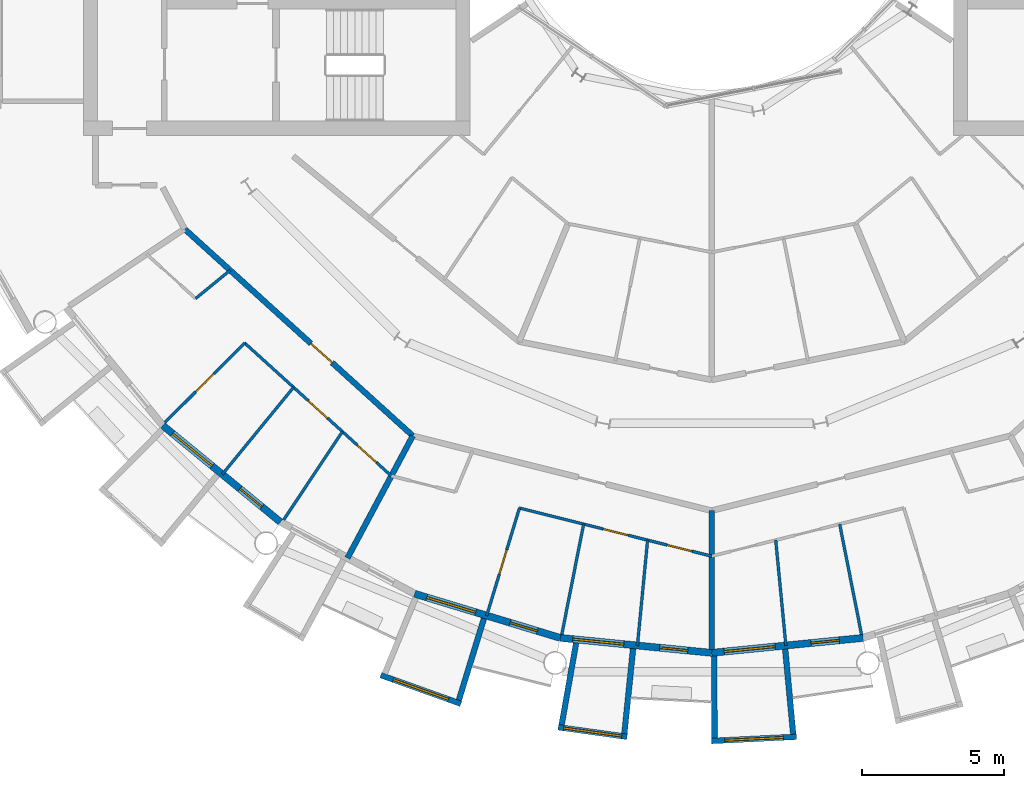
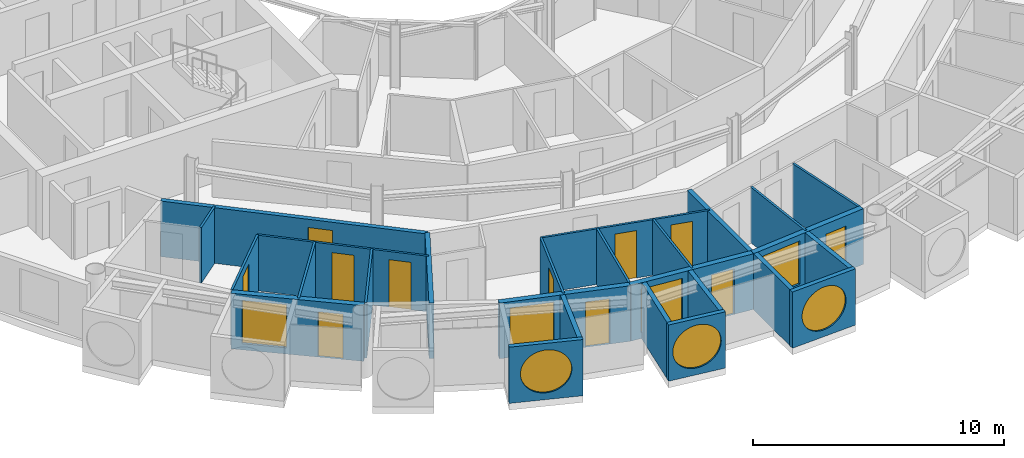
# One storey, part 14 of 26: 26 walls, 11 doors, 7 windows, 18 openings.
"""IFC4 building model written with IfcOpenShell, lengths in metres."""

import ifcopenshell
import ifcopenshell.guid

model = None  # the IFC model being written
_history = None  # IfcOwnerHistory: only IFC2X3 demands one
_inside = {}  # id of a spatial element -> (the spatial element, [elements in it])
_under = {}  # id of a project, library or spatial element -> (it, [spatial elements below it])
_declared = {}  # id of a project -> (the project, [libraries it declares])
_typed = {}  # id of a type object -> (the type object, [elements of that type])
_made_of = {}  # id of a material, layer set ... -> (it, [elements and type objects made of it])


def new_model(schema):
    """Start an empty IFC model of exactly this schema.

    Asked for "IFC4X3", IfcOpenShell would pick the latest addendum, in which some entities
    have other attributes; the version numbers below select the first issue.
    IFC2X3 requires an IfcOwnerHistory on every rooted entity: one is made here for all.
    """
    global model, _history
    if schema == "IFC4X3":
        model = ifcopenshell.file(schema_version=(4, 3, 0, 0))
    else:
        model = ifcopenshell.file(schema=schema)
    _inside.clear()
    _under.clear()
    _declared.clear()
    _typed.clear()
    _made_of.clear()
    _history = None
    if model.schema == "IFC2X3":
        org = make("IfcOrganization", Name="unknown")
        user = make(
            "IfcPersonAndOrganization",
            ThePerson=make("IfcPerson", FamilyName="unknown"),
            TheOrganization=org,
        )
        app = make(
            "IfcApplication",
            ApplicationDeveloper=org,
            Version="unknown",
            ApplicationFullName="unknown",
            ApplicationIdentifier="unknown",
        )
        _history = make(
            "IfcOwnerHistory",
            OwningUser=user,
            OwningApplication=app,
            ChangeAction="ADDED",
            CreationDate=0,
        )
    return model


def make(cls, **values):
    """One entity of the class cls with the attributes given. An attribute that is None is left unset."""
    return model.create_entity(
        cls, **{name: value for name, value in values.items() if value is not None}
    )


def rooted(cls, **values):
    """An entity with a GlobalId (a new one), such as an element, a storey or a relation."""
    return make(cls, GlobalId=ifcopenshell.guid.new(), OwnerHistory=_history, **values)


def si_unit(unit_type, name, prefix=None):
    """IfcSIUnit, for example si_unit("LENGTHUNIT", "METRE", prefix="MILLI")."""
    return make("IfcSIUnit", UnitType=unit_type, Prefix=prefix, Name=name)


def assignment(units):
    """IfcUnitAssignment: the units of a project."""
    return None if units is None else make("IfcUnitAssignment", Units=units)


def point(xyz):
    """IfcCartesianPoint."""
    return None if xyz is None else make("IfcCartesianPoint", Coordinates=xyz)


def direction(xyz):
    """IfcDirection."""
    return None if xyz is None else make("IfcDirection", DirectionRatios=xyz)


def frame(location, z_axis=None, x_axis=None):
    """IfcAxis2Placement3D, a coordinate frame: its origin and axes. An axis left out is left unset."""
    return make(
        "IfcAxis2Placement3D",
        Location=point(location),
        Axis=direction(z_axis),
        RefDirection=direction(x_axis),
    )


def frame_2d(location, x_axis=None):
    """IfcAxis2Placement2D, a coordinate frame in the plane: its origin and x axis."""
    return make(
        "IfcAxis2Placement2D", Location=point(location), RefDirection=direction(x_axis)
    )


def origin():
    """The frame at (0, 0, 0) with its axes left unset."""
    return frame((0.0, 0.0, 0.0))


def place(relative_to, where):
    """IfcLocalPlacement: puts the frame where relative to a parent placement (None: the world)."""
    return make(
        "IfcLocalPlacement", PlacementRelTo=relative_to, RelativePlacement=where
    )


def context(
    kind, dimensions, precision=None, world=None, true_north=None, identifier=None
):
    """IfcGeometricRepresentationContext, for example the 3D "Model" context."""
    return make(
        "IfcGeometricRepresentationContext",
        ContextIdentifier=identifier,
        ContextType=kind,
        CoordinateSpaceDimension=dimensions,
        Precision=precision,
        WorldCoordinateSystem=world,
        TrueNorth=true_north,
    )


def subcontext(parent, identifier, kind, view, scale=None):
    """IfcGeometricRepresentationSubContext, for example "Body" below "Model"."""
    return make(
        "IfcGeometricRepresentationSubContext",
        ContextIdentifier=identifier,
        ContextType=kind,
        ParentContext=parent,
        TargetScale=scale,
        TargetView=view,
    )


def project(units=None, contexts=None):
    """IfcProject with its units and contexts."""
    return rooted(
        "IfcProject",
        Name="project",
        RepresentationContexts=contexts,
        UnitsInContext=assignment(units),
    )


def spatial(cls, under=None, at=None, **own):
    """A site, building, storey or space (cls), placed at a placement, below another one or the project."""
    s = rooted(cls, ObjectPlacement=at, **own)
    if under is not None:
        _under.setdefault(under.id(), (under, []))[1].append(s)
    return s


def profile(cls, at=None, kind="AREA", **sizes):
    """A parametric profile (cls). Its sizes go by their IFC names, for example OverallWidth=200.0."""
    return make(cls, ProfileType=kind, Position=at, **sizes)


def rectangle(**sizes):
    """IfcRectangleProfileDef."""
    return profile("IfcRectangleProfileDef", **sizes)


def circle(**sizes):
    """IfcCircleProfileDef."""
    return profile("IfcCircleProfileDef", **sizes)


def extrude(swept, where, along, depth):
    """IfcExtrudedAreaSolid: the profile swept, set in the frame where, extruded along a direction by depth."""
    return make(
        "IfcExtrudedAreaSolid",
        SweptArea=swept,
        Position=where,
        ExtrudedDirection=direction(along),
        Depth=depth,
    )


def shape(context_of_items, identifier, shape_type, items):
    """IfcShapeRepresentation: the items that make up one representation, for example the "Body"."""
    return make(
        "IfcShapeRepresentation",
        ContextOfItems=context_of_items,
        RepresentationIdentifier=identifier,
        RepresentationType=shape_type,
        Items=items,
    )


def material(Name=None, Category=None):
    """IfcMaterial."""
    return make("IfcMaterial", Name=Name, Category=Category)


def layer(
    of_material, thickness, ventilated=None, Name=None, Category=None, Priority=None
):
    """IfcMaterialLayer: one layer of a wall or slab, of a material (None: an air gap)."""
    return make(
        "IfcMaterialLayer",
        Material=of_material,
        LayerThickness=thickness,
        IsVentilated=ventilated,
        Name=Name,
        Category=Category,
        Priority=Priority,
    )


def layer_set(layers, Name=None):
    """IfcMaterialLayerSet."""
    return make("IfcMaterialLayerSet", MaterialLayers=layers, LayerSetName=Name)


def made_of(thing, what):
    """Note that an element or type object is made of a material, layer set ...; save() writes the relation."""
    if what is not None:
        _made_of.setdefault(what.id(), (what, []))[1].append(thing)
    return thing


def type_object(cls, material=None, **own):
    """A type object (cls), such as IfcWallType, which elements share."""
    return made_of(rooted(cls, **own), material)


def element(
    cls,
    number,
    at=None,
    inside=None,
    cuts=None,
    type_object=None,
    material=None,
    context=None,
    identifier="Body",
    shape_type=None,
    held_by="IfcProductDefinitionShape",
    body=None,
    shapes=None,
    **own,
):
    """One element of the class cls, such as IfcWall. Its Tag is "e" and its number.

    at: its placement. inside: the storey or other place that contains it. cuts: it is an
    opening in that element (IfcRelVoidsElement). A single representation is given by context,
    identifier, shape_type and body (its items); several are given by shapes. held_by: the class
    of the entity that holds the representations. save() writes the other relations.
    """
    e = rooted(cls, Tag="e%d" % number, ObjectPlacement=at, **own)
    if body is not None:
        shapes = [shape(context, identifier, shape_type, body)]
    if shapes is not None:
        e.Representation = make(held_by, Representations=shapes)
    if inside is not None:
        _inside.setdefault(inside.id(), (inside, []))[1].append(e)
    if cuts is not None:
        rooted(
            "IfcRelVoidsElement", RelatingBuildingElement=cuts, RelatedOpeningElement=e
        )
    if type_object is not None:
        _typed.setdefault(type_object.id(), (type_object, []))[1].append(e)
    return made_of(e, material)


def fill(opening, filler):
    """IfcRelFillsElement: the door or window that sits in an opening."""
    return rooted(
        "IfcRelFillsElement",
        RelatingOpeningElement=opening,
        RelatedBuildingElement=filler,
    )


def aggregate(whole, parts):
    """IfcRelAggregates: a whole, such as a stair, and the parts it consists of."""
    return rooted("IfcRelAggregates", RelatingObject=whole, RelatedObjects=parts)


def save(model, path):
    """Write the relations noted so far, then the file.

    IfcRelAggregates (storeys below a building ...), IfcRelContainedInSpatialStructure (elements
    in a storey), IfcRelDefinesByType, IfcRelAssociatesMaterial and IfcRelDeclares: one each for
    every whole, place, type object, material and project.
    """
    for whole, parts in _under.values():
        aggregate(whole, parts)
    for where, things in _inside.values():
        rooted(
            "IfcRelContainedInSpatialStructure",
            RelatedElements=things,
            RelatingStructure=where,
        )
    for kind, things in _typed.values():
        rooted("IfcRelDefinesByType", RelatedObjects=things, RelatingType=kind)
    for what, things in _made_of.values():
        rooted("IfcRelAssociatesMaterial", RelatedObjects=things, RelatingMaterial=what)
    for by, libraries in _declared.values():
        rooted("IfcRelDeclares", RelatingContext=by, RelatedDefinitions=libraries)
    model.write(path)


model = new_model("IFC4")

# Units and contexts
model_context = context("Model", 3, precision=1e-05, world=origin(), true_north=direction((0.0, 1.0)))
body_context = subcontext(model_context, "Body", "Model", "MODEL_VIEW")
ifc_project = project(units=[si_unit("LENGTHUNIT", "METRE"), si_unit("AREAUNIT", "SQUARE_METRE"), si_unit("VOLUMEUNIT", "CUBIC_METRE"), si_unit("PLANEANGLEUNIT", "RADIAN"), si_unit("MASSUNIT", "GRAM", prefix="KILO")], contexts=[model_context])

# Site, building, storey
site_placement = place(None, origin())
site = spatial("IfcSite", under=ifc_project, at=site_placement, CompositionType="ELEMENT")
building_placement = place(site_placement, origin())
building = spatial("IfcBuilding", under=site, at=building_placement, Name="Maasbend Ring Residences", CompositionType="ELEMENT")
storey_placement = place(building_placement, frame((0.0, 0.0, 161.60009765625)))
storey = spatial("IfcBuildingStorey", under=building, at=storey_placement, Name="L46", CompositionType="ELEMENT", Elevation=161.60009765625)

# Wall, opening, door
ifc_material_1 = material(Name="Concrete C30/37", Category="concrete")
ifc_layer_1 = layer(ifc_material_1, 0.199951171875)
ifc_layer_set_1 = layer_set([ifc_layer_1], Name="Concrete C30/37")
wall_type_1 = type_object("IfcWallType", Name="CORRIDOR WALL 200 CONCRETE", PredefinedType="PARTITIONING", material=ifc_layer_set_1)
wall_1_placement = place(storey_placement, frame((-18.5419921875, -12.388916015625, 0.0), z_axis=(0.0, 0.0, 1.0), x_axis=(0.740947367223, -0.671563101283, 0.0)))
wall_1 = element("IfcWall", 1, at=wall_1_placement, inside=storey, type_object=wall_type_1, Name="U-L46-w013", PredefinedType="PARTITIONING", context=body_context, shape_type="SweptSolid", body=[
    extrude(rectangle(XDim=10.83740234375, YDim=0.199951171875, at=frame_2d((5.418701171875, 0.0))), origin(), (0.0, 0.0, 1.0), 2.699951171875),
])
opening_1_placement = place(wall_1_placement, frame((6.001953125, 0.0, 0.0)))
opening_1 = element("IfcOpeningElement", 2, at=opening_1_placement, cuts=wall_1, Name="Opening D-4632", PredefinedType="OPENING", context=body_context, shape_type="SweptSolid", body=[
    extrude(rectangle(XDim=1.0, YDim=2.300048828125, at=frame_2d((0.5, 1.14990234375))), frame((0.0, 0.10986328125, 0.0), z_axis=(0.0, -1.0, 0.0), x_axis=(1.0, 0.0, 0.0)), (0.0, 0.0, 1.0), 0.219970703125),
])
ifc_material_2 = material(Name="Timber, fire-rated, painted", Category="wood")
door_type_1 = type_object("IfcDoorType", Name="FLAT ENTRANCE DOOR 1000 X 2300 FIRE-RATED", OperationType="NOTDEFINED", PredefinedType="DOOR", material=ifc_material_2)
door_1_placement = place(opening_1_placement, origin())
door_1 = element("IfcDoor", 3, at=door_1_placement, inside=storey, type_object=door_type_1, Name="D-4632", OperationType="SINGLE_SWING_RIGHT", OverallHeight=2.300048828125, OverallWidth=1.0, PredefinedType="DOOR", context=body_context, shape_type="SweptSolid", body=[
    extrude(rectangle(XDim=1.0, YDim=2.300048828125, at=frame_2d((0.5, 1.14990234375))), frame((0.0, 0.02490234375, 0.0), z_axis=(0.0, -1.0, 0.0), x_axis=(1.0, 0.0, 0.0)), (0.0, 0.0, 1.0), 0.050048828125),
])
fill(opening_1, door_1)

# Wall, opening, window
ifc_material_3 = material(Name="Pale anodised aluminium panel", Category="aluminium")
ifc_layer_2 = layer(ifc_material_3, 0.199951171875)
ifc_layer_set_2 = layer_set([ifc_layer_2], Name="EW-BOX")
wall_type_2 = type_object("IfcWallType", Name="EW-BOX", PredefinedType="SOLIDWALL", material=ifc_layer_set_2)
wall_2_placement = place(storey_placement, frame((-11.637939453125, -28.083984375, -0.030029296875), z_axis=(0.0, 0.0, 1.0), x_axis=(0.941461077774, -0.337121697664, 0.0)))
wall_2 = element("IfcWall", 4, at=wall_2_placement, inside=storey, type_object=wall_type_2, Name="Box front S07", PredefinedType="SOLIDWALL", context=body_context, shape_type="SweptSolid", body=[
    extrude(rectangle(XDim=2.9931640625, YDim=0.199951171875, at=frame_2d((1.49658203125, 0.0))), origin(), (0.0, 0.0, 1.0), 2.72998046875),
])
opening_2_placement = place(wall_2_placement, frame((0.45654296875, 0.0, 0.330078125)))
opening_2 = element("IfcOpeningElement", 5, at=opening_2_placement, cuts=wall_2, Name="Opening W-RD", PredefinedType="OPENING", context=body_context, shape_type="SweptSolid", body=[
    extrude(circle(Radius=1.0400390625, at=frame_2d((1.0400390625, 1.0400390625))), frame((0.0, 0.10986328125, 0.0), z_axis=(0.0, -1.0, 0.0), x_axis=(1.0, 0.0, 0.0)), (0.0, 0.0, 1.0), 0.219970703125),
])
ifc_material_4 = material(Name="Aluminium and clear glass", Category="aluminium")
window_type_1 = type_object("IfcWindowType", Name="W-RD", PartitioningType="SINGLE_PANEL", PredefinedType="WINDOW", material=ifc_material_4)
window_1_placement = place(opening_2_placement, origin())
window_1 = element("IfcWindow", 6, at=window_1_placement, inside=storey, type_object=window_type_1, Name="Round window S07", OverallHeight=2.080078125, OverallWidth=2.080078125, PartitioningType="SINGLE_PANEL", PredefinedType="WINDOW", context=body_context, shape_type="SweptSolid", body=[
    extrude(circle(Radius=1.0400390625, at=frame_2d((1.0400390625, 1.0400390625))), frame((0.0, 0.030029296875, 0.0), z_axis=(0.0, -1.0, 0.0), x_axis=(1.0, 0.0, 0.0)), (0.0, 0.0, 1.0), 0.06005859375),
])
fill(opening_2, window_1)

# Wall
wall_3_placement = place(storey_placement, frame((-8.009033203125, -26.092041015625, -0.030029296875), z_axis=(0.0, 0.0, 1.0), x_axis=(-0.293406695073, -0.955987715029, 0.0)))
element("IfcWall", 7, at=wall_3_placement, inside=storey, type_object=wall_type_2, Name="Box side wall S07 right", PredefinedType="SOLIDWALL", context=body_context, shape_type="SweptSolid", body=[
    extrude(rectangle(XDim=3.00634765625, YDim=0.199951171875, at=frame_2d((1.503173828125, 0.0))), origin(), (0.0, 0.0, 1.0), 2.72998046875),
])

# Wall, opening, window
wall_4_placement = place(storey_placement, frame((-5.39794921875, -29.9169921875, -0.030029296875), z_axis=(0.0, 0.0, 1.0), x_axis=(0.990462016113, -0.137786046596, 0.0)))
wall_4 = element("IfcWall", 8, at=wall_4_placement, inside=storey, type_object=wall_type_2, Name="Box front S09", PredefinedType="SOLIDWALL", context=body_context, shape_type="SweptSolid", body=[
    extrude(rectangle(XDim=2.4453125, YDim=0.199951171875, at=frame_2d((1.22265625, 0.0))), origin(), (0.0, 0.0, 1.0), 2.72998046875),
])
opening_3_placement = place(wall_4_placement, frame((0.182861328125, 0.0, 0.330078125)))
opening_3 = element("IfcOpeningElement", 9, at=opening_3_placement, cuts=wall_4, Name="Opening W-RD", PredefinedType="OPENING", context=body_context, shape_type="SweptSolid", body=[
    extrude(circle(Radius=1.0400390625, at=frame_2d((1.0400390625, 1.0400390625))), frame((0.0, 0.10986328125, 0.0), z_axis=(0.0, -1.0, 0.0), x_axis=(1.0, 0.0, 0.0)), (0.0, 0.0, 1.0), 0.219970703125),
])
window_2_placement = place(opening_3_placement, origin())
window_2 = element("IfcWindow", 10, at=window_2_placement, inside=storey, type_object=window_type_1, Name="Round window S09", OverallHeight=2.080078125, OverallWidth=2.080078125, PartitioningType="SINGLE_PANEL", PredefinedType="WINDOW", context=body_context, shape_type="SweptSolid", body=[
    extrude(circle(Radius=1.0400390625, at=frame_2d((1.0400390625, 1.0400390625))), frame((0.0, 0.030029296875, 0.0), z_axis=(0.0, -1.0, 0.0), x_axis=(1.0, 0.0, 0.0)), (0.0, 0.0, 1.0), 0.06005859375),
])
fill(opening_3, window_2)

# Walls
wall_5_placement = place(storey_placement, frame((-4.76904296875, -26.9560546875, -0.030029296875), z_axis=(0.0, 0.0, 1.0), x_axis=(-0.174056778901, -0.984735618183, 0.0)))
element("IfcWall", 11, at=wall_5_placement, inside=storey, type_object=wall_type_2, Name="Box side wall S09 left", PredefinedType="SOLIDWALL", context=body_context, shape_type="SweptSolid", body=[
    extrude(rectangle(XDim=2.924560546875, YDim=0.199951171875, at=frame_2d((1.46240234375, 0.0))), origin(), (0.0, 0.0, 1.0), 2.72998046875),
])
wall_6_placement = place(storey_placement, frame((-2.763916015625, -27.153076171875, -0.030029296875), z_axis=(0.0, 0.0, 1.0), x_axis=(-0.101505487237, -0.994834979311, 0.0)))
element("IfcWall", 12, at=wall_6_placement, inside=storey, type_object=wall_type_2, Name="Box side wall S09 right", PredefinedType="SOLIDWALL", context=body_context, shape_type="SweptSolid", body=[
    extrude(rectangle(XDim=3.006591796875, YDim=0.199951171875, at=frame_2d((1.50341796875, 0.0))), origin(), (0.0, 0.0, 1.0), 2.72998046875),
])

# Wall, opening, window
wall_7_placement = place(storey_placement, frame((-0.0048828125, -30.39990234375, -0.030029296875), z_axis=(0.0, 0.0, 1.0), x_axis=(0.998794083011, 0.049095618353, 0.0)))
wall_7 = element("IfcWall", 13, at=wall_7_placement, inside=storey, type_object=wall_type_2, Name="Box front S11", PredefinedType="SOLIDWALL", context=body_context, shape_type="SweptSolid", body=[
    extrude(rectangle(XDim=2.99365234375, YDim=0.199951171875, at=frame_2d((1.496826171875, 0.0))), origin(), (0.0, 0.0, 1.0), 2.72998046875),
])
opening_4_placement = place(wall_7_placement, frame((0.45654296875, 0.0, 0.330078125)))
opening_4 = element("IfcOpeningElement", 14, at=opening_4_placement, cuts=wall_7, Name="Opening W-RD", PredefinedType="OPENING", context=body_context, shape_type="SweptSolid", body=[
    extrude(circle(Radius=1.0400390625, at=frame_2d((1.0400390625, 1.0400390625))), frame((0.0, 0.10986328125, 0.0), z_axis=(0.0, -1.0, 0.0), x_axis=(1.0, 0.0, 0.0)), (0.0, 0.0, 1.0), 0.219970703125),
])
window_3_placement = place(opening_4_placement, origin())
window_3 = element("IfcWindow", 15, at=window_3_placement, inside=storey, type_object=window_type_1, Name="Round window S11", OverallHeight=2.080078125, OverallWidth=2.080078125, PartitioningType="SINGLE_PANEL", PredefinedType="WINDOW", context=body_context, shape_type="SweptSolid", body=[
    extrude(circle(Radius=1.0400390625, at=frame_2d((1.0400390625, 1.0400390625))), frame((0.0, 0.030029296875, 0.0), z_axis=(0.0, -1.0, 0.0), x_axis=(1.0, 0.0, 0.0)), (0.0, 0.0, 1.0), 0.06005859375),
])
fill(opening_4, window_3)

# Walls
wall_8_placement = place(storey_placement, frame((0.090087890625, -27.4169921875, -0.030029296875), z_axis=(0.0, 0.0, 1.0), x_axis=(0.00347308367, -0.999993968827, 0.0)))
element("IfcWall", 16, at=wall_8_placement, inside=storey, type_object=wall_type_2, Name="Box side wall S11 left", PredefinedType="SOLIDWALL", context=body_context, shape_type="SweptSolid", body=[
    extrude(rectangle(XDim=2.882080078125, YDim=0.199951171875, at=frame_2d((1.44091796875, 0.0))), origin(), (0.0, 0.0, 1.0), 2.72998046875),
])
wall_9_placement = place(storey_placement, frame((2.5859375, -27.1708984375, -0.030029296875), z_axis=(0.0, 0.0, 1.0), x_axis=(0.094548432284, -0.995520262954, 0.0)))
element("IfcWall", 17, at=wall_9_placement, inside=storey, type_object=wall_type_2, Name="Box side wall S11 right", PredefinedType="SOLIDWALL", context=body_context, shape_type="SweptSolid", body=[
    extrude(rectangle(XDim=3.005615234375, YDim=0.199951171875, at=frame_2d((1.5029296875, 0.0))), origin(), (0.0, 0.0, 1.0), 2.72998046875),
])

# Wall, openings, door, window
ifc_material_5 = material(Name="Aluminium clad insulated panel", Category="aluminium")
ifc_layer_3 = layer(ifc_material_5, 0.25)
ifc_layer_set_3 = layer_set([ifc_layer_3], Name="EW-GL")
wall_type_3 = type_object("IfcWallType", Name="EW-GL", PredefinedType="SOLIDWALL", material=ifc_layer_set_3)
wall_10_placement = place(storey_placement, frame((-19.303955078125, -19.303955078125, 0.0), z_axis=(0.0, 0.0, 1.0), x_axis=(0.773019449054, -0.634382322723, 0.0)))
wall_10 = element("IfcWall", 18, at=wall_10_placement, inside=storey, type_object=wall_type_3, Name="External wall S02", PredefinedType="SOLIDWALL", context=body_context, shape_type="SweptSolid", body=[
    extrude(rectangle(XDim=5.351806640625, YDim=0.25, at=frame_2d((2.67578125, 0.0))), origin(), (0.0, 0.0, 1.0), 2.699951171875),
])
opening_5_placement = place(wall_10_placement, frame((0.441162109375, 0.0, 0.300048828125)))
opening_5 = element("IfcOpeningElement", 19, at=opening_5_placement, cuts=wall_10, Name="Opening W-BX", PredefinedType="OPENING", context=body_context, shape_type="SweptSolid", body=[
    extrude(rectangle(XDim=1.800048828125, YDim=2.10009765625, at=frame_2d((0.89990234375, 1.050048828125))), frame((0.0, 0.135009765625, 0.0), z_axis=(0.0, -1.0, 0.0), x_axis=(1.0, 0.0, 0.0)), (0.0, 0.0, 1.0), 0.27001953125),
])
opening_6_placement = place(wall_10_placement, frame((3.510498046875, 0.0, 0.0)))
opening_6 = element("IfcOpeningElement", 20, at=opening_6_placement, cuts=wall_10, Name="Opening D-LG", PredefinedType="OPENING", context=body_context, shape_type="SweptSolid", body=[
    extrude(rectangle(XDim=1.0, YDim=2.199951171875, at=frame_2d((0.5, 1.10009765625))), frame((0.0, 0.135009765625, 0.0), z_axis=(0.0, -1.0, 0.0), x_axis=(1.0, 0.0, 0.0)), (0.0, 0.0, 1.0), 0.27001953125),
])
ifc_material_6 = material(Name="Aluminium and clear glass", Category="aluminium")
door_type_2 = type_object("IfcDoorType", Name="D-LG", OperationType="SINGLE_SWING_LEFT", PredefinedType="DOOR", material=ifc_material_6)
door_2_placement = place(opening_6_placement, origin())
door_2 = element("IfcDoor", 21, at=door_2_placement, inside=storey, type_object=door_type_2, Name="Loggia door S04", OperationType="SINGLE_SWING_LEFT", OverallHeight=2.199951171875, OverallWidth=1.0, PredefinedType="DOOR", context=body_context, shape_type="SweptSolid", body=[
    extrude(rectangle(XDim=1.0, YDim=2.199951171875, at=frame_2d((0.5, 1.10009765625))), frame((0.0, 0.02490234375, 0.0), z_axis=(0.0, -1.0, 0.0), x_axis=(1.0, 0.0, 0.0)), (0.0, 0.0, 1.0), 0.050048828125),
])
fill(opening_6, door_2)
ifc_material_7 = material(Name="Aluminium and clear glass", Category="aluminium")
window_type_2 = type_object("IfcWindowType", Name="W-BX", PartitioningType="DOUBLE_PANEL_VERTICAL", PredefinedType="WINDOW", material=ifc_material_7)
window_4_placement = place(opening_5_placement, origin())
window_4 = element("IfcWindow", 22, at=window_4_placement, inside=storey, type_object=window_type_2, Name="Window S03 room to box", OverallHeight=2.10009765625, OverallWidth=1.800048828125, PartitioningType="SINGLE_PANEL", PredefinedType="WINDOW", context=body_context, shape_type="SweptSolid", body=[
    extrude(rectangle(XDim=1.800048828125, YDim=2.10009765625, at=frame_2d((0.89990234375, 1.050048828125))), frame((0.0, 0.030029296875, 0.0), z_axis=(0.0, -1.0, 0.0), x_axis=(1.0, 0.0, 0.0)), (0.0, 0.0, 1.0), 0.06005859375),
])
fill(opening_5, window_4)

wall_11_placement = place(storey_placement, frame((-10.447021484375, -25.221923828125, 0.0), z_axis=(0.0, 0.0, 1.0), x_axis=(0.956965678721, -0.290201119486, 0.0)))
wall_11 = element("IfcWall", 23, at=wall_11_placement, inside=storey, type_object=wall_type_3, Name="External wall S04", PredefinedType="SOLIDWALL", context=body_context, shape_type="SweptSolid", body=[
    extrude(rectangle(XDim=5.351318359375, YDim=0.25, at=frame_2d((2.67578125, 0.0))), origin(), (0.0, 0.0, 1.0), 2.699951171875),
])
opening_7_placement = place(wall_11_placement, frame((0.441162109375, 0.0, 0.300048828125)))
opening_7 = element("IfcOpeningElement", 24, at=opening_7_placement, cuts=wall_11, Name="Opening W-BX", PredefinedType="OPENING", context=body_context, shape_type="SweptSolid", body=[
    extrude(rectangle(XDim=1.800048828125, YDim=2.10009765625, at=frame_2d((0.89990234375, 1.050048828125))), frame((0.0, 0.135009765625, 0.0), z_axis=(0.0, -1.0, 0.0), x_axis=(1.0, 0.0, 0.0)), (0.0, 0.0, 1.0), 0.27001953125),
])
opening_8_placement = place(wall_11_placement, frame((3.510498046875, 0.0, 0.0)))
opening_8 = element("IfcOpeningElement", 25, at=opening_8_placement, cuts=wall_11, Name="Opening D-LG", PredefinedType="OPENING", context=body_context, shape_type="SweptSolid", body=[
    extrude(rectangle(XDim=1.0, YDim=2.199951171875, at=frame_2d((0.5, 1.10009765625))), frame((0.0, 0.135009765625, 0.0), z_axis=(0.0, -1.0, 0.0), x_axis=(1.0, 0.0, 0.0)), (0.0, 0.0, 1.0), 0.27001953125),
])
door_3_placement = place(opening_8_placement, origin())
door_3 = element("IfcDoor", 26, at=door_3_placement, inside=storey, type_object=door_type_2, Name="Loggia door S08", OperationType="SINGLE_SWING_LEFT", OverallHeight=2.199951171875, OverallWidth=1.0, PredefinedType="DOOR", context=body_context, shape_type="SweptSolid", body=[
    extrude(rectangle(XDim=1.0, YDim=2.199951171875, at=frame_2d((0.5, 1.10009765625))), frame((0.0, 0.02490234375, 0.0), z_axis=(0.0, -1.0, 0.0), x_axis=(1.0, 0.0, 0.0)), (0.0, 0.0, 1.0), 0.050048828125),
])
fill(opening_8, door_3)
window_5_placement = place(opening_7_placement, origin())
window_5 = element("IfcWindow", 27, at=window_5_placement, inside=storey, type_object=window_type_2, Name="Window S07 room to box", OverallHeight=2.10009765625, OverallWidth=1.800048828125, PartitioningType="SINGLE_PANEL", PredefinedType="WINDOW", context=body_context, shape_type="SweptSolid", body=[
    extrude(rectangle(XDim=1.800048828125, YDim=2.10009765625, at=frame_2d((0.89990234375, 1.050048828125))), frame((0.0, 0.030029296875, 0.0), z_axis=(0.0, -1.0, 0.0), x_axis=(1.0, 0.0, 0.0)), (0.0, 0.0, 1.0), 0.06005859375),
])
fill(opening_7, window_5)

wall_12_placement = place(storey_placement, frame((-5.325927734375, -26.77490234375, 0.0), z_axis=(0.0, 0.0, 1.0), x_axis=(0.995173996315, -0.098126026407, 0.0)))
wall_12 = element("IfcWall", 28, at=wall_12_placement, inside=storey, type_object=wall_type_3, Name="External wall S05", PredefinedType="SOLIDWALL", context=body_context, shape_type="SweptSolid", body=[
    extrude(rectangle(XDim=5.351806640625, YDim=0.25, at=frame_2d((2.67578125, 0.0))), origin(), (0.0, 0.0, 1.0), 2.699951171875),
])
opening_9_placement = place(wall_12_placement, frame((0.441162109375, 0.0, 0.300048828125)))
opening_9 = element("IfcOpeningElement", 29, at=opening_9_placement, cuts=wall_12, Name="Opening W-BX", PredefinedType="OPENING", context=body_context, shape_type="SweptSolid", body=[
    extrude(rectangle(XDim=1.800048828125, YDim=2.10009765625, at=frame_2d((0.89990234375, 1.050048828125))), frame((0.0, 0.135009765625, 0.0), z_axis=(0.0, -1.0, 0.0), x_axis=(1.0, 0.0, 0.0)), (0.0, 0.0, 1.0), 0.27001953125),
])
opening_10_placement = place(wall_12_placement, frame((3.510498046875, 0.0, 0.0)))
opening_10 = element("IfcOpeningElement", 30, at=opening_10_placement, cuts=wall_12, Name="Opening D-LG", PredefinedType="OPENING", context=body_context, shape_type="SweptSolid", body=[
    extrude(rectangle(XDim=1.0, YDim=2.199951171875, at=frame_2d((0.5, 1.10009765625))), frame((0.0, 0.135009765625, 0.0), z_axis=(0.0, -1.0, 0.0), x_axis=(1.0, 0.0, 0.0)), (0.0, 0.0, 1.0), 0.27001953125),
])
door_4_placement = place(opening_10_placement, origin())
door_4 = element("IfcDoor", 31, at=door_4_placement, inside=storey, type_object=door_type_2, Name="Loggia door S10", OperationType="SINGLE_SWING_LEFT", OverallHeight=2.199951171875, OverallWidth=1.0, PredefinedType="DOOR", context=body_context, shape_type="SweptSolid", body=[
    extrude(rectangle(XDim=1.0, YDim=2.199951171875, at=frame_2d((0.5, 1.10009765625))), frame((0.0, 0.02490234375, 0.0), z_axis=(0.0, -1.0, 0.0), x_axis=(1.0, 0.0, 0.0)), (0.0, 0.0, 1.0), 0.050048828125),
])
fill(opening_10, door_4)
window_6_placement = place(opening_9_placement, origin())
window_6 = element("IfcWindow", 32, at=window_6_placement, inside=storey, type_object=window_type_2, Name="Window S09 room to box", OverallHeight=2.10009765625, OverallWidth=1.800048828125, PartitioningType="SINGLE_PANEL", PredefinedType="WINDOW", context=body_context, shape_type="SweptSolid", body=[
    extrude(rectangle(XDim=1.800048828125, YDim=2.10009765625, at=frame_2d((0.89990234375, 1.050048828125))), frame((0.0, 0.030029296875, 0.0), z_axis=(0.0, -1.0, 0.0), x_axis=(1.0, 0.0, 0.0)), (0.0, 0.0, 1.0), 0.06005859375),
])
fill(opening_9, window_6)

wall_13_placement = place(storey_placement, frame((0.0, -27.300048828125, 0.0), z_axis=(0.0, 0.0, 1.0), x_axis=(0.995173996315, 0.098126026407, 0.0)))
wall_13 = element("IfcWall", 33, at=wall_13_placement, inside=storey, type_object=wall_type_3, Name="External wall S06", PredefinedType="SOLIDWALL", context=body_context, shape_type="SweptSolid", body=[
    extrude(rectangle(XDim=5.351806640625, YDim=0.25, at=frame_2d((2.67578125, 0.0))), origin(), (0.0, 0.0, 1.0), 2.699951171875),
])
opening_11_placement = place(wall_13_placement, frame((0.441162109375, 0.0, 0.300048828125)))
opening_11 = element("IfcOpeningElement", 34, at=opening_11_placement, cuts=wall_13, Name="Opening W-BX", PredefinedType="OPENING", context=body_context, shape_type="SweptSolid", body=[
    extrude(rectangle(XDim=1.800048828125, YDim=2.10009765625, at=frame_2d((0.89990234375, 1.050048828125))), frame((0.0, 0.135009765625, 0.0), z_axis=(0.0, -1.0, 0.0), x_axis=(1.0, 0.0, 0.0)), (0.0, 0.0, 1.0), 0.27001953125),
])
opening_12_placement = place(wall_13_placement, frame((3.510498046875, 0.0, 0.0)))
opening_12 = element("IfcOpeningElement", 35, at=opening_12_placement, cuts=wall_13, Name="Opening D-LG", PredefinedType="OPENING", context=body_context, shape_type="SweptSolid", body=[
    extrude(rectangle(XDim=1.0, YDim=2.199951171875, at=frame_2d((0.5, 1.10009765625))), frame((0.0, 0.135009765625, 0.0), z_axis=(0.0, -1.0, 0.0), x_axis=(1.0, 0.0, 0.0)), (0.0, 0.0, 1.0), 0.27001953125),
])
door_5_placement = place(opening_12_placement, origin())
door_5 = element("IfcDoor", 36, at=door_5_placement, inside=storey, type_object=door_type_2, Name="Loggia door S12", OperationType="SINGLE_SWING_LEFT", OverallHeight=2.199951171875, OverallWidth=1.0, PredefinedType="DOOR", context=body_context, shape_type="SweptSolid", body=[
    extrude(rectangle(XDim=1.0, YDim=2.199951171875, at=frame_2d((0.5, 1.10009765625))), frame((0.0, 0.02490234375, 0.0), z_axis=(0.0, -1.0, 0.0), x_axis=(1.0, 0.0, 0.0)), (0.0, 0.0, 1.0), 0.050048828125),
])
fill(opening_12, door_5)
window_7_placement = place(opening_11_placement, origin())
window_7 = element("IfcWindow", 37, at=window_7_placement, inside=storey, type_object=window_type_2, Name="Window S11 room to box", OverallHeight=2.10009765625, OverallWidth=1.800048828125, PartitioningType="SINGLE_PANEL", PredefinedType="WINDOW", context=body_context, shape_type="SweptSolid", body=[
    extrude(rectangle(XDim=1.800048828125, YDim=2.10009765625, at=frame_2d((0.89990234375, 1.050048828125))), frame((0.0, 0.030029296875, 0.0), z_axis=(0.0, -1.0, 0.0), x_axis=(1.0, 0.0, 0.0)), (0.0, 0.0, 1.0), 0.06005859375),
])
fill(opening_11, window_7)

# Wall, openings, doors
ifc_material_8 = material(Name="Gypsum board on steel studs", Category="steel")
ifc_layer_4 = layer(ifc_material_8, 0.10009765625)
ifc_layer_set_4 = layer_set([ifc_layer_4], Name="PARTITION 100 GYPSUM")
wall_type_4 = type_object("IfcWallType", Name="PARTITION 100 GYPSUM", PredefinedType="PARTITIONING", material=ifc_layer_set_4)
wall_14_placement = place(storey_placement, frame((-16.431884765625, -16.39599609375, 0.0), z_axis=(0.0, 0.0, 1.0), x_axis=(0.740901429238, -0.671613781986, 0.0)))
wall_14 = element("IfcWall", 38, at=wall_14_placement, inside=storey, type_object=wall_type_4, Name="U-L46-w002", PredefinedType="PARTITIONING", context=body_context, shape_type="SweptSolid", body=[
    extrude(rectangle(XDim=6.9697265625, YDim=0.10009765625, at=frame_2d((3.48486328125, 0.0))), origin(), (0.0, 0.0, 1.0), 2.699951171875),
])
opening_13_placement = place(wall_14_placement, frame((3.0380859375, 0.0, 0.0)))
opening_13 = element("IfcOpeningElement", 39, at=opening_13_placement, cuts=wall_14, Name="Opening D-4635", PredefinedType="OPENING", context=body_context, shape_type="SweptSolid", body=[
    extrude(rectangle(XDim=0.89990234375, YDim=2.300048828125, at=frame_2d((0.449951171875, 1.14990234375))), frame((0.0, 0.06005859375, 0.0), z_axis=(0.0, -1.0, 0.0), x_axis=(1.0, 0.0, 0.0)), (0.0, 0.0, 1.0), 0.1201171875),
])
opening_14_placement = place(wall_14_placement, frame((5.360107421875, 0.0, 0.0)))
opening_14 = element("IfcOpeningElement", 40, at=opening_14_placement, cuts=wall_14, Name="Opening D-4636", PredefinedType="OPENING", context=body_context, shape_type="SweptSolid", body=[
    extrude(rectangle(XDim=0.89990234375, YDim=2.300048828125, at=frame_2d((0.449951171875, 1.14990234375))), frame((0.0, 0.06005859375, 0.0), z_axis=(0.0, -1.0, 0.0), x_axis=(1.0, 0.0, 0.0)), (0.0, 0.0, 1.0), 0.1201171875),
])
ifc_material_9 = material(Name="Timber, painted", Category="wood")
door_type_3 = type_object("IfcDoorType", Name="INTERNAL DOOR 900 X 2300", OperationType="NOTDEFINED", PredefinedType="DOOR", material=ifc_material_9)
door_6_placement = place(opening_13_placement, origin())
door_6 = element("IfcDoor", 41, at=door_6_placement, inside=storey, type_object=door_type_3, Name="D-4635", OperationType="SINGLE_SWING_RIGHT", OverallHeight=2.300048828125, OverallWidth=0.89990234375, PredefinedType="DOOR", context=body_context, shape_type="SweptSolid", body=[
    extrude(rectangle(XDim=0.89990234375, YDim=2.300048828125, at=frame_2d((0.449951171875, 1.14990234375))), frame((0.0, 0.02490234375, 0.0), z_axis=(0.0, -1.0, 0.0), x_axis=(1.0, 0.0, 0.0)), (0.0, 0.0, 1.0), 0.050048828125),
])
fill(opening_13, door_6)
door_7_placement = place(opening_14_placement, origin())
door_7 = element("IfcDoor", 42, at=door_7_placement, inside=storey, type_object=door_type_3, Name="D-4636", OperationType="SINGLE_SWING_RIGHT", OverallHeight=2.300048828125, OverallWidth=0.89990234375, PredefinedType="DOOR", context=body_context, shape_type="SweptSolid", body=[
    extrude(rectangle(XDim=0.89990234375, YDim=2.300048828125, at=frame_2d((0.449951171875, 1.14990234375))), frame((0.0, 0.02490234375, 0.0), z_axis=(0.0, -1.0, 0.0), x_axis=(1.0, 0.0, 0.0)), (0.0, 0.0, 1.0), 0.050048828125),
])
fill(opening_14, door_7)

wall_15_placement = place(storey_placement, frame((-6.761962890625, -22.2060546875, 0.0), z_axis=(0.0, 0.0, 1.0), x_axis=(0.97002908491, -0.242988836015, 0.0)))
wall_15 = element("IfcWall", 43, at=wall_15_placement, inside=storey, type_object=wall_type_4, Name="U-L46-w004", PredefinedType="PARTITIONING", context=body_context, shape_type="SweptSolid", body=[
    extrude(rectangle(XDim=6.970947265625, YDim=0.10009765625, at=frame_2d((3.4853515625, 0.0))), origin(), (0.0, 0.0, 1.0), 2.699951171875),
])
opening_15_placement = place(wall_15_placement, frame((3.0390625, 0.0, 0.0)))
opening_15 = element("IfcOpeningElement", 44, at=opening_15_placement, cuts=wall_15, Name="Opening D-4640", PredefinedType="OPENING", context=body_context, shape_type="SweptSolid", body=[
    extrude(rectangle(XDim=0.89990234375, YDim=2.300048828125, at=frame_2d((0.449951171875, 1.14990234375))), frame((0.0, 0.06005859375, 0.0), z_axis=(0.0, -1.0, 0.0), x_axis=(1.0, 0.0, 0.0)), (0.0, 0.0, 1.0), 0.1201171875),
])
opening_16_placement = place(wall_15_placement, frame((5.35791015625, 0.0, 0.0)))
opening_16 = element("IfcOpeningElement", 45, at=opening_16_placement, cuts=wall_15, Name="Opening D-4641", PredefinedType="OPENING", context=body_context, shape_type="SweptSolid", body=[
    extrude(rectangle(XDim=0.89990234375, YDim=2.300048828125, at=frame_2d((0.449951171875, 1.14990234375))), frame((0.0, 0.06005859375, 0.0), z_axis=(0.0, -1.0, 0.0), x_axis=(1.0, 0.0, 0.0)), (0.0, 0.0, 1.0), 0.1201171875),
])
door_8_placement = place(opening_15_placement, origin())
door_8 = element("IfcDoor", 46, at=door_8_placement, inside=storey, type_object=door_type_3, Name="D-4640", OperationType="SINGLE_SWING_RIGHT", OverallHeight=2.300048828125, OverallWidth=0.89990234375, PredefinedType="DOOR", context=body_context, shape_type="SweptSolid", body=[
    extrude(rectangle(XDim=0.89990234375, YDim=2.300048828125, at=frame_2d((0.449951171875, 1.14990234375))), frame((0.0, 0.02490234375, 0.0), z_axis=(0.0, -1.0, 0.0), x_axis=(1.0, 0.0, 0.0)), (0.0, 0.0, 1.0), 0.050048828125),
])
fill(opening_15, door_8)
door_9_placement = place(opening_16_placement, origin())
door_9 = element("IfcDoor", 47, at=door_9_placement, inside=storey, type_object=door_type_3, Name="D-4641", OperationType="SINGLE_SWING_RIGHT", OverallHeight=2.300048828125, OverallWidth=0.89990234375, PredefinedType="DOOR", context=body_context, shape_type="SweptSolid", body=[
    extrude(rectangle(XDim=0.89990234375, YDim=2.300048828125, at=frame_2d((0.449951171875, 1.14990234375))), frame((0.0, 0.02490234375, 0.0), z_axis=(0.0, -1.0, 0.0), x_axis=(1.0, 0.0, 0.0)), (0.0, 0.0, 1.0), 0.050048828125),
])
fill(opening_16, door_9)

# Wall, opening, door
wall_16_placement = place(storey_placement, frame((-19.23095703125, -19.199951171875, 0.0), z_axis=(0.0, 0.0, 1.0), x_axis=(0.707722727509, 0.706490297858, 0.0)))
wall_16 = element("IfcWall", 48, at=wall_16_placement, inside=storey, type_object=wall_type_4, Name="U-L46-w035", PredefinedType="PARTITIONING", context=body_context, shape_type="SweptSolid", body=[
    extrude(rectangle(XDim=3.9619140625, YDim=0.10009765625, at=frame_2d((1.98095703125, 0.0))), origin(), (0.0, 0.0, 1.0), 2.699951171875),
])
opening_17_placement = place(wall_16_placement, frame((1.531005859375, 0.0, 0.0)))
opening_17 = element("IfcOpeningElement", 49, at=opening_17_placement, cuts=wall_16, Name="Opening D-4634", PredefinedType="OPENING", context=body_context, shape_type="SweptSolid", body=[
    extrude(rectangle(XDim=0.89990234375, YDim=2.300048828125, at=frame_2d((0.449951171875, 1.14990234375))), frame((0.0, 0.06005859375, 0.0), z_axis=(0.0, -1.0, 0.0), x_axis=(1.0, 0.0, 0.0)), (0.0, 0.0, 1.0), 0.1201171875),
])
door_10_placement = place(opening_17_placement, origin())
door_10 = element("IfcDoor", 50, at=door_10_placement, inside=storey, type_object=door_type_3, Name="D-4634", OperationType="SINGLE_SWING_LEFT", OverallHeight=2.300048828125, OverallWidth=0.89990234375, PredefinedType="DOOR", context=body_context, shape_type="SweptSolid", body=[
    extrude(rectangle(XDim=0.89990234375, YDim=2.300048828125, at=frame_2d((0.449951171875, 1.14990234375))), frame((0.0, 0.02490234375, 0.0), z_axis=(0.0, -1.0, 0.0), x_axis=(1.0, 0.0, 0.0)), (0.0, 0.0, 1.0), 0.050048828125),
])
fill(opening_17, door_10)

# Walls
wall_17_placement = place(storey_placement, frame((-18.15087890625, -14.837890625, 0.0), z_axis=(0.0, 0.0, 1.0), x_axis=(0.774283039722, 0.632839453889, 0.0)))
element("IfcWall", 51, at=wall_17_placement, inside=storey, type_object=wall_type_4, Name="U-L46-w037", PredefinedType="PARTITIONING", context=body_context, shape_type="SweptSolid", body=[
    extrude(rectangle(XDim=1.569091796875, YDim=0.10009765625, at=frame_2d((0.78466796875, 0.0))), origin(), (0.0, 0.0, 1.0), 2.699951171875),
])
wall_18_placement = place(storey_placement, frame((-17.216064453125, -21.02587890625, 0.0), z_axis=(0.0, 0.0, 1.0), x_axis=(0.633590098448, 0.773668913133, 0.0)))
element("IfcWall", 52, at=wall_18_placement, inside=storey, type_object=wall_type_4, Name="U-L46-w039", PredefinedType="PARTITIONING", context=body_context, shape_type="SweptSolid", body=[
    extrude(rectangle(XDim=3.961669921875, YDim=0.10009765625, at=frame_2d((1.98095703125, 0.0))), origin(), (0.0, 0.0, 1.0), 2.699951171875),
])
wall_19_placement = place(storey_placement, frame((-15.053955078125, -22.6240234375, 0.0), z_axis=(0.0, 0.0, 1.0), x_axis=(0.553823887887, 0.83263383381, 0.0)))
element("IfcWall", 53, at=wall_19_placement, inside=storey, type_object=wall_type_4, Name="U-L46-w040", PredefinedType="PARTITIONING", context=body_context, shape_type="SweptSolid", body=[
    extrude(rectangle(XDim=3.730224609375, YDim=0.10009765625, at=frame_2d((1.865234375, 0.0))), origin(), (0.0, 0.0, 1.0), 2.699951171875),
])

# Wall, opening, door
wall_20_placement = place(storey_placement, frame((-7.9140625, -25.9970703125, 0.0), z_axis=(0.0, 0.0, 1.0), x_axis=(0.291291575636, 0.956634317785, 0.0)))
wall_20 = element("IfcWall", 54, at=wall_20_placement, inside=storey, type_object=wall_type_4, Name="U-L46-w052", PredefinedType="PARTITIONING", context=body_context, shape_type="SweptSolid", body=[
    extrude(rectangle(XDim=3.9619140625, YDim=0.10009765625, at=frame_2d((1.98095703125, 0.0))), origin(), (0.0, 0.0, 1.0), 2.699951171875),
])
opening_18_placement = place(wall_20_placement, frame((1.531005859375, 0.0, 0.0)))
opening_18 = element("IfcOpeningElement", 55, at=opening_18_placement, cuts=wall_20, Name="Opening D-4639", PredefinedType="OPENING", context=body_context, shape_type="SweptSolid", body=[
    extrude(rectangle(XDim=0.89990234375, YDim=2.300048828125, at=frame_2d((0.449951171875, 1.14990234375))), frame((0.0, 0.06005859375, 0.0), z_axis=(0.0, -1.0, 0.0), x_axis=(1.0, 0.0, 0.0)), (0.0, 0.0, 1.0), 0.1201171875),
])
door_11_placement = place(opening_18_placement, origin())
door_11 = element("IfcDoor", 56, at=door_11_placement, inside=storey, type_object=door_type_3, Name="D-4639", OperationType="SINGLE_SWING_RIGHT", OverallHeight=2.300048828125, OverallWidth=0.89990234375, PredefinedType="DOOR", context=body_context, shape_type="SweptSolid", body=[
    extrude(rectangle(XDim=0.89990234375, YDim=2.300048828125, at=frame_2d((0.449951171875, 1.14990234375))), frame((0.0, 0.02490234375, 0.0), z_axis=(0.0, -1.0, 0.0), x_axis=(1.0, 0.0, 0.0)), (0.0, 0.0, 1.0), 0.050048828125),
])
fill(opening_18, door_11)

# Walls
wall_21_placement = place(storey_placement, frame((-5.27197265625, -26.658935546875, 0.0), z_axis=(0.0, 0.0, 1.0), x_axis=(0.194089507313, 0.980983824103, 0.0)))
element("IfcWall", 57, at=wall_21_placement, inside=storey, type_object=wall_type_4, Name="U-L46-w055", PredefinedType="PARTITIONING", context=body_context, shape_type="SweptSolid", body=[
    extrude(rectangle(XDim=3.96240234375, YDim=0.10009765625, at=frame_2d((1.981201171875, 0.0))), origin(), (0.0, 0.0, 1.0), 2.699951171875),
])
for number, where, z_axis, x_axis, name in (
    (58, (-2.612060546875, -27.049072265625, 0.0), (0.0, 0.0, 1.0), (0.09626981452, 0.995355274669, 0.0), "U-L46-w057"),
    (59, (2.2529296875, -23.3359375, 0.0), (0.0, 0.0, 1.0), (0.09626981452, -0.995355274669, 0.0), "U-L46-w063"),
):
    element("IfcWall", number, at=place(storey_placement, frame(where, z_axis=z_axis, x_axis=x_axis)), inside=storey, type_object=wall_type_4, Name=name, PredefinedType="PARTITIONING", context=body_context, shape_type="SweptSolid", body=[
        extrude(rectangle(XDim=3.73046875, YDim=0.10009765625, at=frame_2d((1.865234375, 0.0))), origin(), (0.0, 0.0, 1.0), 2.699951171875),
    ])
wall_22_placement = place(storey_placement, frame((4.5029296875, -22.77197265625, 0.0), z_axis=(0.0, 0.0, 1.0), x_axis=(0.194089507313, -0.980983824103, 0.0)))
element("IfcWall", 60, at=wall_22_placement, inside=storey, type_object=wall_type_4, Name="U-L46-w066", PredefinedType="PARTITIONING", context=body_context, shape_type="SweptSolid", body=[
    extrude(rectangle(XDim=3.96240234375, YDim=0.10009765625, at=frame_2d((1.981201171875, 0.0))), origin(), (0.0, 0.0, 1.0), 2.699951171875),
])
ifc_material_10 = material(Name="Concrete C30/37", Category="concrete")
ifc_layer_5 = layer(ifc_material_10, 0.199951171875)
ifc_layer_set_5 = layer_set([ifc_layer_5], Name="Concrete C30/37")
wall_type_5 = type_object("IfcWallType", Name="PARTY WALL 200 CONCRETE", PredefinedType="PARTITIONING", material=ifc_layer_set_5)
wall_23_placement = place(storey_placement, frame((-12.81005859375, -23.966064453125, 0.0), z_axis=(0.0, 0.0, 1.0), x_axis=(0.471427642527, 0.881904744211, 0.0)))
element("IfcWall", 61, at=wall_23_placement, inside=storey, type_object=wall_type_5, Name="U-L46-w043", PredefinedType="PARTITIONING", context=body_context, shape_type="SweptSolid", body=[
    extrude(rectangle(XDim=4.874755859375, YDim=0.199951171875, at=frame_2d((2.4375, 0.0))), origin(), (0.0, 0.0, 1.0), 2.699951171875),
])
wall_24_placement = place(storey_placement, frame((0.0, -27.175048828125, 0.0), z_axis=(0.0, 0.0, 1.0), x_axis=(0.0, 1.0, 0.0)))
element("IfcWall", 62, at=wall_24_placement, inside=storey, type_object=wall_type_5, Name="U-L46-w059", PredefinedType="PARTITIONING", context=body_context, shape_type="SweptSolid", body=[
    extrude(rectangle(XDim=4.875, YDim=0.199951171875, at=frame_2d((2.4375, 0.0))), origin(), (0.0, 0.0, 1.0), 2.699951171875),
])

save(model, "model.ifc")
